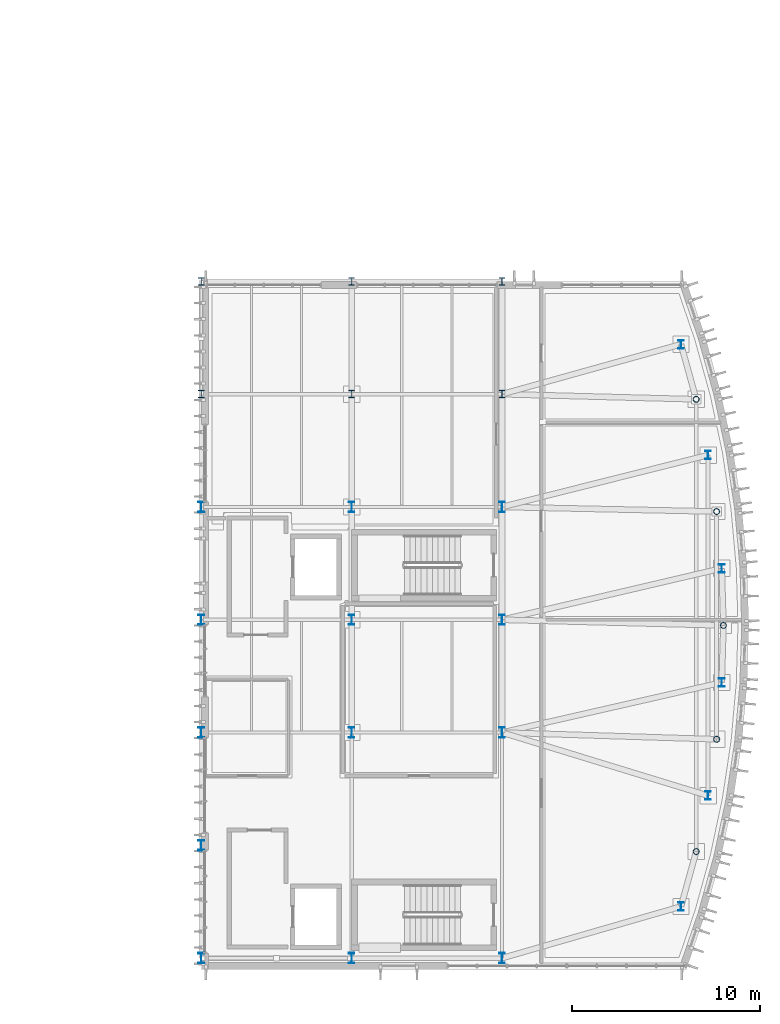
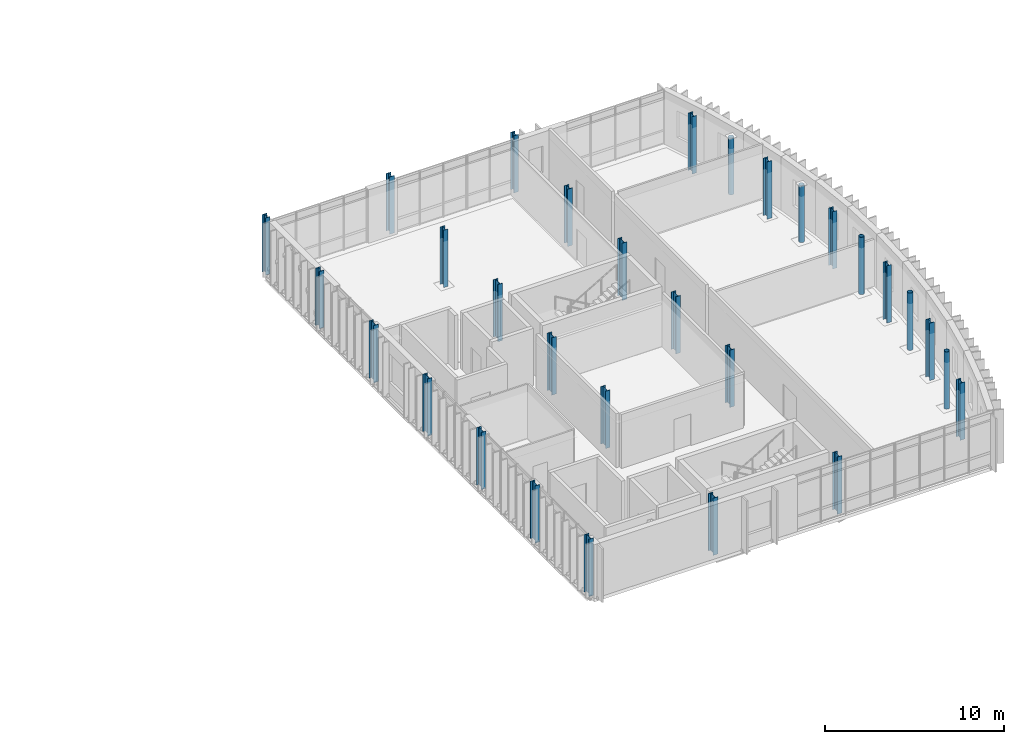
# One storey, part 5 of 43: 30 columns.
"""IFC4 building model written with IfcOpenShell, lengths in metres."""

import ifcopenshell
import ifcopenshell.guid

model = None  # the IFC model being written
_history = None  # IfcOwnerHistory: only IFC2X3 demands one
_inside = {}  # id of a spatial element -> (the spatial element, [elements in it])
_under = {}  # id of a project, library or spatial element -> (it, [spatial elements below it])
_declared = {}  # id of a project -> (the project, [libraries it declares])
_typed = {}  # id of a type object -> (the type object, [elements of that type])
_made_of = {}  # id of a material, layer set ... -> (it, [elements and type objects made of it])


def new_model(schema):
    """Start an empty IFC model of exactly this schema.

    Asked for "IFC4X3", IfcOpenShell would pick the latest addendum, in which some entities
    have other attributes; the version numbers below select the first issue.
    IFC2X3 requires an IfcOwnerHistory on every rooted entity: one is made here for all.
    """
    global model, _history
    if schema == "IFC4X3":
        model = ifcopenshell.file(schema_version=(4, 3, 0, 0))
    else:
        model = ifcopenshell.file(schema=schema)
    _inside.clear()
    _under.clear()
    _declared.clear()
    _typed.clear()
    _made_of.clear()
    _history = None
    if model.schema == "IFC2X3":
        org = make("IfcOrganization", Name="unknown")
        user = make(
            "IfcPersonAndOrganization",
            ThePerson=make("IfcPerson", FamilyName="unknown"),
            TheOrganization=org,
        )
        app = make(
            "IfcApplication",
            ApplicationDeveloper=org,
            Version="unknown",
            ApplicationFullName="unknown",
            ApplicationIdentifier="unknown",
        )
        _history = make(
            "IfcOwnerHistory",
            OwningUser=user,
            OwningApplication=app,
            ChangeAction="ADDED",
            CreationDate=0,
        )
    return model


def make(cls, **values):
    """One entity of the class cls with the attributes given. An attribute that is None is left unset."""
    return model.create_entity(
        cls, **{name: value for name, value in values.items() if value is not None}
    )


def rooted(cls, **values):
    """An entity with a GlobalId (a new one), such as an element, a storey or a relation."""
    return make(cls, GlobalId=ifcopenshell.guid.new(), OwnerHistory=_history, **values)


def si_unit(unit_type, name, prefix=None):
    """IfcSIUnit, for example si_unit("LENGTHUNIT", "METRE", prefix="MILLI")."""
    return make("IfcSIUnit", UnitType=unit_type, Prefix=prefix, Name=name)


def assignment(units):
    """IfcUnitAssignment: the units of a project."""
    return None if units is None else make("IfcUnitAssignment", Units=units)


def point(xyz):
    """IfcCartesianPoint."""
    return None if xyz is None else make("IfcCartesianPoint", Coordinates=xyz)


def direction(xyz):
    """IfcDirection."""
    return None if xyz is None else make("IfcDirection", DirectionRatios=xyz)


def frame(location, z_axis=None, x_axis=None):
    """IfcAxis2Placement3D, a coordinate frame: its origin and axes. An axis left out is left unset."""
    return make(
        "IfcAxis2Placement3D",
        Location=point(location),
        Axis=direction(z_axis),
        RefDirection=direction(x_axis),
    )


def frame_2d(location, x_axis=None):
    """IfcAxis2Placement2D, a coordinate frame in the plane: its origin and x axis."""
    return make(
        "IfcAxis2Placement2D", Location=point(location), RefDirection=direction(x_axis)
    )


def origin():
    """The frame at (0, 0, 0) with its axes left unset."""
    return frame((0.0, 0.0, 0.0))


def origin_2d():
    """The frame at (0, 0) in the plane with its x axis left unset."""
    return frame_2d((0.0, 0.0))


def place(relative_to, where):
    """IfcLocalPlacement: puts the frame where relative to a parent placement (None: the world)."""
    return make(
        "IfcLocalPlacement", PlacementRelTo=relative_to, RelativePlacement=where
    )


def context(
    kind, dimensions, precision=None, world=None, true_north=None, identifier=None
):
    """IfcGeometricRepresentationContext, for example the 3D "Model" context."""
    return make(
        "IfcGeometricRepresentationContext",
        ContextIdentifier=identifier,
        ContextType=kind,
        CoordinateSpaceDimension=dimensions,
        Precision=precision,
        WorldCoordinateSystem=world,
        TrueNorth=true_north,
    )


def subcontext(parent, identifier, kind, view, scale=None):
    """IfcGeometricRepresentationSubContext, for example "Body" below "Model"."""
    return make(
        "IfcGeometricRepresentationSubContext",
        ContextIdentifier=identifier,
        ContextType=kind,
        ParentContext=parent,
        TargetScale=scale,
        TargetView=view,
    )


def project(units=None, contexts=None):
    """IfcProject with its units and contexts."""
    return rooted(
        "IfcProject",
        Name="project",
        RepresentationContexts=contexts,
        UnitsInContext=assignment(units),
    )


def spatial(cls, under=None, at=None, **own):
    """A site, building, storey or space (cls), placed at a placement, below another one or the project."""
    s = rooted(cls, ObjectPlacement=at, **own)
    if under is not None:
        _under.setdefault(under.id(), (under, []))[1].append(s)
    return s


def profile(cls, at=None, kind="AREA", **sizes):
    """A parametric profile (cls). Its sizes go by their IFC names, for example OverallWidth=200.0."""
    return make(cls, ProfileType=kind, Position=at, **sizes)


def hollow_circle(**sizes):
    """IfcCircleHollowProfileDef."""
    return profile("IfcCircleHollowProfileDef", **sizes)


def i_section(**sizes):
    """IfcIShapeProfileDef."""
    return profile("IfcIShapeProfileDef", **sizes)


def extrude(swept, where, along, depth):
    """IfcExtrudedAreaSolid: the profile swept, set in the frame where, extruded along a direction by depth."""
    return make(
        "IfcExtrudedAreaSolid",
        SweptArea=swept,
        Position=where,
        ExtrudedDirection=direction(along),
        Depth=depth,
    )


def shape(context_of_items, identifier, shape_type, items):
    """IfcShapeRepresentation: the items that make up one representation, for example the "Body"."""
    return make(
        "IfcShapeRepresentation",
        ContextOfItems=context_of_items,
        RepresentationIdentifier=identifier,
        RepresentationType=shape_type,
        Items=items,
    )


def material(Name=None, Category=None):
    """IfcMaterial."""
    return make("IfcMaterial", Name=Name, Category=Category)


def material_profile(
    of_material, cross_section, Name=None, Category=None, Priority=None
):
    """IfcMaterialProfile: a cross section and its material."""
    return make(
        "IfcMaterialProfile",
        Name=Name,
        Material=of_material,
        Profile=cross_section,
        Priority=Priority,
        Category=Category,
    )


def profile_set(profiles, Name=None, composite=None):
    """IfcMaterialProfileSet."""
    return make(
        "IfcMaterialProfileSet",
        Name=Name,
        MaterialProfiles=profiles,
        CompositeProfile=composite,
    )


def made_of(thing, what):
    """Note that an element or type object is made of a material, layer set ...; save() writes the relation."""
    if what is not None:
        _made_of.setdefault(what.id(), (what, []))[1].append(thing)
    return thing


def type_object(cls, material=None, **own):
    """A type object (cls), such as IfcWallType, which elements share."""
    return made_of(rooted(cls, **own), material)


def element(
    cls,
    number,
    at=None,
    inside=None,
    cuts=None,
    type_object=None,
    material=None,
    context=None,
    identifier="Body",
    shape_type=None,
    held_by="IfcProductDefinitionShape",
    body=None,
    shapes=None,
    **own,
):
    """One element of the class cls, such as IfcWall. Its Tag is "e" and its number.

    at: its placement. inside: the storey or other place that contains it. cuts: it is an
    opening in that element (IfcRelVoidsElement). A single representation is given by context,
    identifier, shape_type and body (its items); several are given by shapes. held_by: the class
    of the entity that holds the representations. save() writes the other relations.
    """
    e = rooted(cls, Tag="e%d" % number, ObjectPlacement=at, **own)
    if body is not None:
        shapes = [shape(context, identifier, shape_type, body)]
    if shapes is not None:
        e.Representation = make(held_by, Representations=shapes)
    if inside is not None:
        _inside.setdefault(inside.id(), (inside, []))[1].append(e)
    if cuts is not None:
        rooted(
            "IfcRelVoidsElement", RelatingBuildingElement=cuts, RelatedOpeningElement=e
        )
    if type_object is not None:
        _typed.setdefault(type_object.id(), (type_object, []))[1].append(e)
    return made_of(e, material)


def aggregate(whole, parts):
    """IfcRelAggregates: a whole, such as a stair, and the parts it consists of."""
    return rooted("IfcRelAggregates", RelatingObject=whole, RelatedObjects=parts)


def save(model, path):
    """Write the relations noted so far, then the file.

    IfcRelAggregates (storeys below a building ...), IfcRelContainedInSpatialStructure (elements
    in a storey), IfcRelDefinesByType, IfcRelAssociatesMaterial and IfcRelDeclares: one each for
    every whole, place, type object, material and project.
    """
    for whole, parts in _under.values():
        aggregate(whole, parts)
    for where, things in _inside.values():
        rooted(
            "IfcRelContainedInSpatialStructure",
            RelatedElements=things,
            RelatingStructure=where,
        )
    for kind, things in _typed.values():
        rooted("IfcRelDefinesByType", RelatedObjects=things, RelatingType=kind)
    for what, things in _made_of.values():
        rooted("IfcRelAssociatesMaterial", RelatedObjects=things, RelatingMaterial=what)
    for by, libraries in _declared.values():
        rooted("IfcRelDeclares", RelatingContext=by, RelatedDefinitions=libraries)
    model.write(path)


model = new_model("IFC4")

# Units and contexts
model_context = context("Model", 3, precision=1e-05, world=origin(), true_north=direction((0.0, 1.0)))
body_context = subcontext(model_context, "Body", "Model", "MODEL_VIEW")
ifc_project = project(units=[si_unit("LENGTHUNIT", "METRE"), si_unit("AREAUNIT", "SQUARE_METRE"), si_unit("VOLUMEUNIT", "CUBIC_METRE"), si_unit("PLANEANGLEUNIT", "RADIAN"), si_unit("MASSUNIT", "GRAM", prefix="KILO")], contexts=[model_context])

# Site, building, storey
site_placement = place(None, origin())
site = spatial("IfcSite", under=ifc_project, at=site_placement, CompositionType="ELEMENT")
building_placement = place(site_placement, origin())
building = spatial("IfcBuilding", under=site, at=building_placement, Name="Cymarion Research Institute", CompositionType="ELEMENT")
storey_placement = place(building_placement, frame((0.0, 0.0, 22.800048828125)))
storey = spatial("IfcBuildingStorey", under=building, at=storey_placement, Name="L05", CompositionType="ELEMENT", Elevation=22.800048828125)

# Columns
ifc_material = material(Name="Steel S355", Category="steel")
ifc_material_profile_1 = material_profile(ifc_material, i_section(OverallWidth=0.300048828125, OverallDepth=0.550048828125, WebThickness=0.014892578125, FlangeThickness=0.029052734375, FilletRadius=0.027099609375, at=origin_2d()), Name="HEB 550")
ifc_profile_set_1 = profile_set([ifc_material_profile_1], Name="Steel S355")
column_type_1 = type_object("IfcColumnType", Name="STRUCTURAL COLUMN C03 HEB 550", PredefinedType="COLUMN", material=ifc_profile_set_1)
for number, where, z_axis, x_axis, name in (
    (1, (138.60009765625, 5.5, 0.0), (0.0, 0.0, 1.0), (1.0, 0.0, 0.0), "L05 V1 column C03 #1148"),
    (2, (138.60009765625, 11.5, 0.0), (0.0, 0.0, 1.0), (1.0, 0.0, 0.0), "L05 V1 column C03 #1149"),
    (3, (138.60009765625, 17.5, 0.0), (0.0, 0.0, 1.0), (1.0, 0.0, 0.0), "L05 V1 column C03 #1150"),
    (4, (138.60009765625, 23.5, 0.0), (0.0, 0.0, 1.0), (1.0, 0.0, 0.0), "L05 V1 column C03 #1151"),
    (5, (138.60009765625, 29.5, 0.0), (0.0, 0.0, 1.0), (1.0, 0.0, 0.0), "L05 V1 column C03 #1152"),
    (6, (146.60009765625, 5.5, 0.0), (0.0, 0.0, 1.0), (1.0, 0.0, 0.0), "L05 V1 column C03 #1155"),
    (7, (146.60009765625, 17.5, 0.0), (0.0, 0.0, 1.0), (1.0, 0.0, 0.0), "L05 V1 column C03 #1156"),
    (8, (146.60009765625, 23.5, 0.0), (0.0, 0.0, 1.0), (1.0, 0.0, 0.0), "L05 V1 column C03 #1157"),
    (9, (146.60009765625, 29.5, 0.0), (0.0, 0.0, 1.0), (1.0, 0.0, 0.0), "L05 V1 column C03 #1158"),
    (10, (154.60009765625, 5.5, 0.0), (0.0, 0.0, 1.0), (1.0, 0.0, 0.0), "L05 V1 column C03 #1161"),
    (11, (154.60009765625, 17.5, 0.0), (0.0, 0.0, 1.0), (1.0, 0.0, 0.0), "L05 V1 column C03 #1162"),
    (12, (154.60009765625, 23.5, 0.0), (0.0, 0.0, 1.0), (1.0, 0.0, 0.0), "L05 V1 column C03 #1163"),
    (13, (154.60009765625, 29.5, 0.0), (0.0, 0.0, 1.0), (1.0, 0.0, 0.0), "L05 V1 column C03 #1164"),
):
    element("IfcColumn", number, at=place(storey_placement, frame(where, z_axis=z_axis, x_axis=x_axis)), inside=storey, type_object=column_type_1, Name=name, PredefinedType="COLUMN", context=body_context, shape_type="SweptSolid", body=[
        extrude(i_section(OverallWidth=0.300048828125, OverallDepth=0.550048828125, WebThickness=0.014892578125, FlangeThickness=0.029052734375, FilletRadius=0.027099609375, at=origin_2d()), origin(), (0.0, 0.0, 1.0), 3.89990234375),
    ])
ifc_material_profile_2 = material_profile(ifc_material, i_section(OverallWidth=0.300048828125, OverallDepth=0.449951171875, WebThickness=0.013916015625, FlangeThickness=0.02587890625, FilletRadius=0.027099609375, at=origin_2d()), Name="HEB 450")
ifc_profile_set_2 = profile_set([ifc_material_profile_2], Name="Steel S355")
column_type_2 = type_object("IfcColumnType", Name="STRUCTURAL COLUMN C05 HEB 450", PredefinedType="COLUMN", material=ifc_profile_set_2)
for number, where, z_axis, x_axis, name in (
    (14, (164.118896484375, 8.2470703125, 0.0), (0.0, 0.0, 1.0), (1.0, 0.0, 0.0), "L05 V1 column C05 #1167"),
    (15, (164.118896484375, 38.153076171875, 0.0), (0.0, 0.0, 1.0), (1.0, 0.0, 0.0), "L05 V1 column C05 #1168"),
    (16, (165.559814453125, 14.1416015625, 0.0), (0.0, 0.0, 1.0), (1.0, 0.0, 0.0), "L05 V1 column C05 #1171"),
    (17, (165.559814453125, 32.258544921875, 0.0), (0.0, 0.0, 1.0), (1.0, 0.0, 0.0), "L05 V1 column C05 #1172"),
    (18, (166.285400390625, 20.166015625, 0.0), (0.0, 0.0, 1.0), (1.0, 0.0, 0.0), "L05 V1 column C05 #1175"),
    (19, (166.285400390625, 26.23388671875, 0.0), (0.0, 0.0, 1.0), (1.0, 0.0, 0.0), "L05 V1 column C05 #1176"),
):
    element("IfcColumn", number, at=place(storey_placement, frame(where, z_axis=z_axis, x_axis=x_axis)), inside=storey, type_object=column_type_2, Name=name, PredefinedType="COLUMN", context=body_context, shape_type="SweptSolid", body=[
        extrude(i_section(OverallWidth=0.300048828125, OverallDepth=0.449951171875, WebThickness=0.013916015625, FlangeThickness=0.02587890625, FilletRadius=0.027099609375, at=origin_2d()), origin(), (0.0, 0.0, 1.0), 3.89990234375),
    ])
ifc_material_profile_3 = material_profile(ifc_material, i_section(OverallWidth=0.300048828125, OverallDepth=0.39990234375, WebThickness=0.013427734375, FlangeThickness=0.02392578125, FilletRadius=0.027099609375, at=origin_2d()), Name="HEB 400")
ifc_profile_set_3 = profile_set([ifc_material_profile_3], Name="Steel S355")
column_type_3 = type_object("IfcColumnType", Name="STRUCTURAL COLUMN C06 HEB 400", PredefinedType="COLUMN", material=ifc_profile_set_3)
for number, where, z_axis, x_axis, name in (
    (20, (138.60009765625, 35.5, 0.0), (0.0, 0.0, 1.0), (1.0, 0.0, 0.0), "L05 V1 column C06 #1153"),
    (21, (138.60009765625, 41.5, 0.0), (0.0, 0.0, 1.0), (1.0, 0.0, 0.0), "L05 V1 column C06 #1154"),
    (22, (146.60009765625, 35.5, 0.0), (0.0, 0.0, 1.0), (1.0, 0.0, 0.0), "L05 V1 column C06 #1159"),
    (23, (146.60009765625, 41.5, 0.0), (0.0, 0.0, 1.0), (1.0, 0.0, 0.0), "L05 V1 column C06 #1160"),
    (24, (154.60009765625, 35.5, 0.0), (0.0, 0.0, 1.0), (1.0, 0.0, 0.0), "L05 V1 column C06 #1165"),
    (25, (154.60009765625, 41.5, 0.0), (0.0, 0.0, 1.0), (1.0, 0.0, 0.0), "L05 V1 column C06 #1166"),
):
    element("IfcColumn", number, at=place(storey_placement, frame(where, z_axis=z_axis, x_axis=x_axis)), inside=storey, type_object=column_type_3, Name=name, PredefinedType="COLUMN", context=body_context, shape_type="SweptSolid", body=[
        extrude(i_section(OverallWidth=0.300048828125, OverallDepth=0.39990234375, WebThickness=0.013427734375, FlangeThickness=0.02392578125, FilletRadius=0.027099609375, at=origin_2d()), origin(), (0.0, 0.0, 1.0), 3.89990234375),
    ])
ifc_material_profile_4 = material_profile(ifc_material, hollow_circle(Radius=0.161865234375, WallThickness=0.01611328125, at=origin_2d()), Name="CHS 323.9x16")
ifc_profile_set_4 = profile_set([ifc_material_profile_4], Name="Steel S355")
column_type_4 = type_object("IfcColumnType", Name="STRUCTURAL COLUMN C16 CHS 323.9x16", PredefinedType="COLUMN", material=ifc_profile_set_4)
column_1_placement = place(storey_placement, frame((164.927734375, 11.172607421875, 0.0), z_axis=(0.0, 0.0, 1.0), x_axis=(1.0, 0.0, 0.0)))
element("IfcColumn", 26, at=column_1_placement, inside=storey, type_object=column_type_4, Name="L05 V1 column C16 #1169", PredefinedType="COLUMN", context=body_context, shape_type="SweptSolid", body=[
    extrude(hollow_circle(Radius=0.161865234375, WallThickness=0.01611328125, at=origin_2d()), origin(), (0.0, 0.0, 1.0), 3.89990234375),
])
column_2_placement = place(storey_placement, frame((164.927734375, 35.227294921875, 0.0), z_axis=(0.0, 0.0, 1.0), x_axis=(1.0, 0.0, 0.0)))
element("IfcColumn", 27, at=column_2_placement, inside=storey, type_object=column_type_4, Name="L05 V1 column C16 #1170", PredefinedType="COLUMN", context=body_context, shape_type="SweptSolid", body=[
    extrude(hollow_circle(Radius=0.161865234375, WallThickness=0.01611328125, at=origin_2d()), origin(), (0.0, 0.0, 1.0), 3.869873046875),
])
column_3_placement = place(storey_placement, frame((166.012939453125, 17.142822265625, 0.0), z_axis=(0.0, 0.0, 1.0), x_axis=(1.0, 0.0, 0.0)))
element("IfcColumn", 28, at=column_3_placement, inside=storey, type_object=column_type_4, Name="L05 V1 column C16 #1173", PredefinedType="COLUMN", context=body_context, shape_type="SweptSolid", body=[
    extrude(hollow_circle(Radius=0.161865234375, WallThickness=0.01611328125, at=origin_2d()), origin(), (0.0, 0.0, 1.0), 3.89990234375),
])
column_4_placement = place(storey_placement, frame((166.012939453125, 29.257080078125, 0.0), z_axis=(0.0, 0.0, 1.0), x_axis=(1.0, 0.0, 0.0)))
element("IfcColumn", 29, at=column_4_placement, inside=storey, type_object=column_type_4, Name="L05 V1 column C16 #1174", PredefinedType="COLUMN", context=body_context, shape_type="SweptSolid", body=[
    extrude(hollow_circle(Radius=0.161865234375, WallThickness=0.01611328125, at=origin_2d()), origin(), (0.0, 0.0, 1.0), 3.869873046875),
])
column_5_placement = place(storey_placement, frame((166.37646484375, 23.199951171875, 0.0), z_axis=(0.0, 0.0, 1.0), x_axis=(1.0, 0.0, 0.0)))
element("IfcColumn", 30, at=column_5_placement, inside=storey, type_object=column_type_4, Name="L05 V1 column C16 #1177", PredefinedType="COLUMN", context=body_context, shape_type="SweptSolid", body=[
    extrude(hollow_circle(Radius=0.161865234375, WallThickness=0.01611328125, at=origin_2d()), origin(), (0.0, 0.0, 1.0), 3.89990234375),
])

save(model, "model.ifc")
